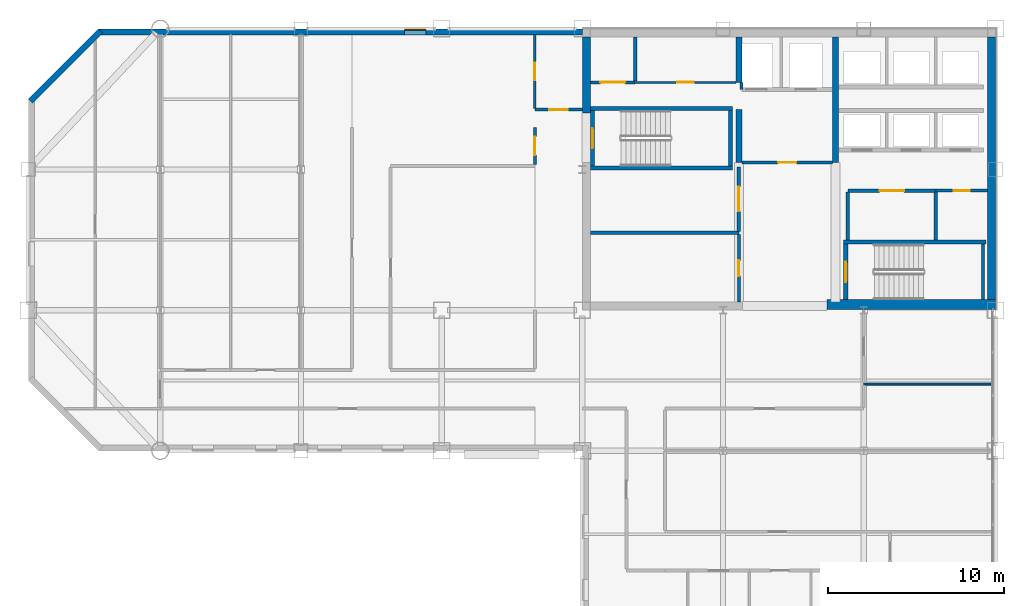
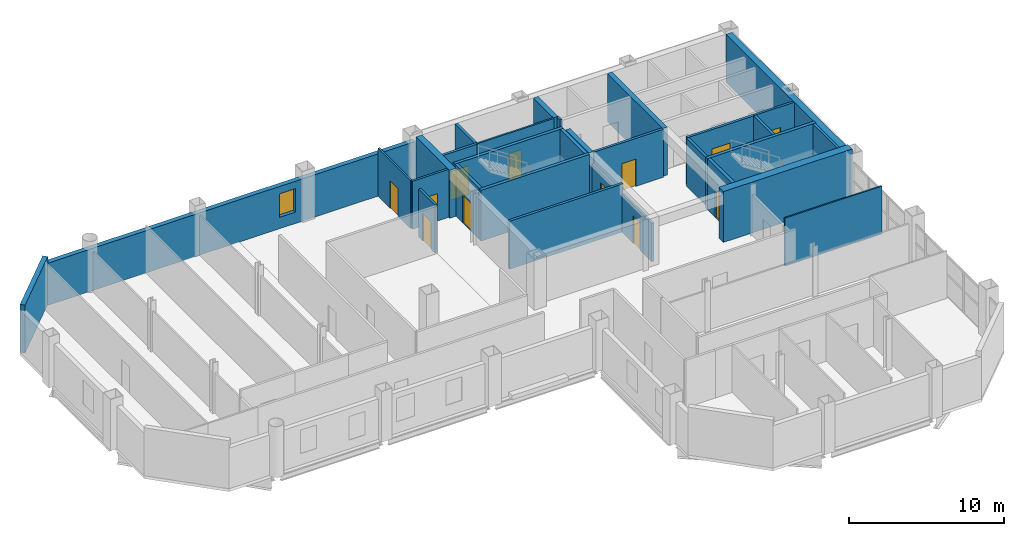
# One storey, part 9 of 12: 31 walls, 12 doors, 1 window, 13 openings.
"""IFC4 building model written with IfcOpenShell, lengths in metres."""

from ifc_helpers import new_model, si_unit, direction, frame, frame_2d, origin, place, context, subcontext, project, spatial, rectangle, extrude, material, layer, layer_set, type_object, element, fill, save


model = new_model("IFC4")

# Units and contexts
model_context = context("Model", 3, precision=1e-05, world=origin(), true_north=direction((0.0, 1.0)))
body_context = subcontext(model_context, "Body", "Model", "MODEL_VIEW")
ifc_project = project(units=[si_unit("LENGTHUNIT", "METRE"), si_unit("AREAUNIT", "SQUARE_METRE"), si_unit("VOLUMEUNIT", "CUBIC_METRE"), si_unit("PLANEANGLEUNIT", "RADIAN"), si_unit("MASSUNIT", "GRAM", prefix="KILO")], contexts=[model_context])

# Site, building, storey
site_placement = place(None, origin())
site = spatial("IfcSite", under=ifc_project, at=site_placement, CompositionType="ELEMENT")
building_placement = place(site_placement, origin())
building = spatial("IfcBuilding", under=site, at=building_placement, Name="Qianrong Seaharbour Tower", CompositionType="ELEMENT")
storey_placement = place(building_placement, frame((0.0, 0.0, 213.800048828125)))
storey = spatial("IfcBuildingStorey", under=building, at=storey_placement, Name="L51", CompositionType="ELEMENT", Elevation=213.800048828125)

# Walls
ifc_material_1 = material(Name="Concrete C60/75", Category="concrete")
ifc_layer_1 = layer(ifc_material_1, 0.4599609375)
ifc_layer_set_1 = layer_set([ifc_layer_1], Name="Concrete C60/75")
wall_type_1 = type_object("IfcWallType", Name="WALL-CORE-460", PredefinedType="SHEAR", material=ifc_layer_set_1)
wall_1_placement = place(storey_placement, frame((63.77001953125, 36.320068359375, 0.0), z_axis=(0.0, 0.0, 1.0), x_axis=(0.0, 1.0, 0.0)))
element("IfcWall", 1, at=wall_1_placement, inside=storey, type_object=wall_type_1, Name="L51 East Core Shear Wall", PredefinedType="SHEAR", context=body_context, shape_type="SweptSolid", body=[
    extrude(rectangle(XDim=15.219970703125, YDim=0.4599609375, at=frame_2d((7.60986328125, 0.0))), origin(), (0.0, 0.0, 1.0), 3.77490234375),
])
wall_2_placement = place(storey_placement, frame((40.72998046875, 47.199951171875, 0.0), z_axis=(0.0, 0.0, 1.0), x_axis=(0.0, 1.0, 0.0)))
element("IfcWall", 2, at=wall_2_placement, inside=storey, type_object=wall_type_1, Name="L51 West Core Shear Wall North", PredefinedType="SHEAR", context=body_context, shape_type="SweptSolid", body=[
    extrude(rectangle(XDim=4.340087890625, YDim=0.4599609375, at=frame_2d((2.169921875, 0.0))), origin(), (0.0, 0.0, 1.0), 3.77490234375),
])
ifc_material_2 = material(Name="Concrete C70/85", Category="concrete")
ifc_layer_2 = layer(ifc_material_2, 0.580078125)
ifc_layer_set_2 = layer_set([ifc_layer_2], Name="Concrete C70/85")
wall_type_2 = type_object("IfcWallType", Name="WALL-CORE-580", PredefinedType="SHEAR", material=ifc_layer_set_2)
wall_3_placement = place(storey_placement, frame((54.39990234375, 36.320068359375, 0.0), z_axis=(0.0, 0.0, 1.0), x_axis=(1.0, 0.0, 0.0)))
element("IfcWall", 3, at=wall_3_placement, inside=storey, type_object=wall_type_2, Name="L51 South Core Shear Wall S3", PredefinedType="SHEAR", context=body_context, shape_type="SweptSolid", body=[
    extrude(rectangle(XDim=9.60009765625, YDim=0.580078125, at=frame_2d((4.800048828125, 0.0))), origin(), (0.0, 0.0, 1.0), 4.0),
])
ifc_material_3 = material(Name="Concrete C50/60", Category="concrete")
ifc_layer_3 = layer(ifc_material_3, 0.35009765625)
ifc_layer_set_3 = layer_set([ifc_layer_3], Name="Concrete C50/60")
wall_type_3 = type_object("IfcWallType", Name="WALL-CORE-INT-350", PredefinedType="SHEAR", material=ifc_layer_set_3)
wall_4_placement = place(storey_placement, frame((49.39990234375, 44.39990234375, 0.0), z_axis=(0.0, 0.0, 1.0), x_axis=(0.0, 1.0, 0.0)))
element("IfcWall", 4, at=wall_4_placement, inside=storey, type_object=wall_type_3, Name="L51 Internal Core Shear Wall IW1N1", PredefinedType="SHEAR", context=body_context, shape_type="SweptSolid", body=[
    extrude(rectangle(XDim=3.0, YDim=0.35009765625, at=frame_2d((1.5, 0.0))), origin(), (0.0, 0.0, 1.0), 3.77490234375),
])
wall_5_placement = place(storey_placement, frame((49.39990234375, 48.949951171875, 0.0), z_axis=(0.0, 0.0, 1.0), x_axis=(0.0, 1.0, 0.0)))
element("IfcWall", 5, at=wall_5_placement, inside=storey, type_object=wall_type_3, Name="L51 Internal Core Shear Wall IW1N2", PredefinedType="SHEAR", context=body_context, shape_type="SweptSolid", body=[
    extrude(rectangle(XDim=2.590087890625, YDim=0.35009765625, at=frame_2d((1.294921875, 0.0))), origin(), (0.0, 0.0, 1.0), 3.77490234375),
])
wall_6_placement = place(storey_placement, frame((54.89990234375, 44.39990234375, 0.0), z_axis=(0.0, 0.0, 1.0), x_axis=(0.0, 1.0, 0.0)))
element("IfcWall", 6, at=wall_6_placement, inside=storey, type_object=wall_type_3, Name="L51 Internal Core Shear Wall IW2N", PredefinedType="SHEAR", context=body_context, shape_type="SweptSolid", body=[
    extrude(rectangle(XDim=7.14013671875, YDim=0.35009765625, at=frame_2d((3.570068359375, 0.0))), origin(), (0.0, 0.0, 1.0), 3.77490234375),
])

# Wall, opening, door
ifc_material_4 = material(Name="Fire-rated acoustic gypsum board partition")
ifc_layer_4 = layer(ifc_material_4, 0.1650390625)
ifc_layer_set_4 = layer_set([ifc_layer_4], Name="Fire-rated acoustic gypsum board partition")
wall_type_4 = type_object("IfcWallType", Name="WALL-CORR-PART-165", PredefinedType="PARTITIONING", material=ifc_layer_set_4)
wall_7_placement = place(storey_placement, frame((37.800048828125, 47.39990234375, 0.0), z_axis=(0.0, 0.0, 1.0), x_axis=(1.0, 0.0, 0.0)))
wall_7 = element("IfcWall", 7, at=wall_7_placement, inside=storey, type_object=wall_type_4, Name="L51 Interior Partition Wall 001", PredefinedType="PARTITIONING", context=body_context, shape_type="SweptSolid", body=[
    extrude(rectangle(XDim=2.699951171875, YDim=0.1650390625, at=frame_2d((1.35009765625, 0.0))), origin(), (0.0, 0.0, 1.0), 3.77490234375),
])
opening_1_placement = place(wall_7_placement, frame((0.824951171875, 0.0, 0.0)))
opening_1 = element("IfcOpeningElement", 8, at=opening_1_placement, cuts=wall_7, Name="Opening DC-01", PredefinedType="OPENING", context=body_context, shape_type="SweptSolid", body=[
    extrude(rectangle(XDim=1.050048828125, YDim=2.14990234375, at=frame_2d((0.52490234375, 1.074951171875))), frame((0.0, 0.092529296875, 0.0), z_axis=(0.0, -1.0, 0.0), x_axis=(1.0, 0.0, 0.0)), (0.0, 0.0, 1.0), 0.18505859375),
])
ifc_material_5 = material(Name="Acoustic timber and galvanized steel fire door assembly", Category="steel")
door_type_1 = type_object("IfcDoorType", Name="DOOR-CORR-FD60-1050x2150", OperationType="NOTDEFINED", PredefinedType="DOOR", material=ifc_material_5)
door_1_placement = place(opening_1_placement, origin())
door_1 = element("IfcDoor", 9, at=door_1_placement, inside=storey, type_object=door_type_1, Name="L51 Smokeproof Stair Vestibule ST-1 Door", OperationType="SINGLE_SWING_RIGHT", OverallHeight=2.14990234375, OverallWidth=1.050048828125, PredefinedType="DOOR", context=body_context, shape_type="SweptSolid", body=[
    extrude(rectangle(XDim=1.050048828125, YDim=2.14990234375, at=frame_2d((0.52490234375, 1.074951171875))), frame((0.0, 0.02490234375, 0.0), z_axis=(0.0, -1.0, 0.0), x_axis=(1.0, 0.0, 0.0)), (0.0, 0.0, 1.0), 0.050048828125),
])
fill(opening_1, door_1)

wall_8_placement = place(storey_placement, frame((37.800048828125, 44.2744140625, 0.0), z_axis=(0.0, 0.0, 1.0), x_axis=(0.0, 1.0, 0.0)))
wall_8 = element("IfcWall", 10, at=wall_8_placement, inside=storey, type_object=wall_type_4, Name="L51 Interior Partition Wall 002", PredefinedType="PARTITIONING", context=body_context, shape_type="SweptSolid", body=[
    extrude(rectangle(XDim=2.12548828125, YDim=0.1650390625, at=frame_2d((1.062744140625, 0.0))), origin(), (0.0, 0.0, 1.0), 3.77490234375),
])
opening_2_placement = place(wall_8_placement, frame((0.537841796875, 0.0, 0.0)))
opening_2 = element("IfcOpeningElement", 11, at=opening_2_placement, cuts=wall_8, Name="Opening DC-01", PredefinedType="OPENING", context=body_context, shape_type="SweptSolid", body=[
    extrude(rectangle(XDim=1.050048828125, YDim=2.14990234375, at=frame_2d((0.52490234375, 1.074951171875))), frame((0.0, 0.092529296875, 0.0), z_axis=(0.0, -1.0, 0.0), x_axis=(1.0, 0.0, 0.0)), (0.0, 0.0, 1.0), 0.18505859375),
])
door_2_placement = place(opening_2_placement, origin())
door_2 = element("IfcDoor", 12, at=door_2_placement, inside=storey, type_object=door_type_1, Name="L51 Smokeproof Stair Vestibule ST-1 Door", OperationType="SINGLE_SWING_LEFT", OverallHeight=2.14990234375, OverallWidth=1.050048828125, PredefinedType="DOOR", context=body_context, shape_type="SweptSolid", body=[
    extrude(rectangle(XDim=1.050048828125, YDim=2.14990234375, at=frame_2d((0.52490234375, 1.074951171875))), frame((0.0, 0.02490234375, 0.0), z_axis=(0.0, -1.0, 0.0), x_axis=(1.0, 0.0, 0.0)), (0.0, 0.0, 1.0), 0.050048828125),
])
fill(opening_2, door_2)

wall_9_placement = place(storey_placement, frame((49.39990234375, 36.4599609375, 0.0), z_axis=(0.0, 0.0, 1.0), x_axis=(0.0, 1.0, 0.0)))
wall_9 = element("IfcWall", 13, at=wall_9_placement, inside=storey, type_object=wall_type_4, Name="L51 Interior Partition Wall 007", PredefinedType="PARTITIONING", context=body_context, shape_type="SweptSolid", body=[
    extrude(rectangle(XDim=3.85302734375, YDim=0.1650390625, at=frame_2d((1.926513671875, 0.0))), origin(), (0.0, 0.0, 1.0), 3.016845703125),
])
opening_3_placement = place(wall_9_placement, frame((1.4765625, 0.0, 0.0)))
opening_3 = element("IfcOpeningElement", 14, at=opening_3_placement, cuts=wall_9, Name="Opening DS-01", PredefinedType="OPENING", context=body_context, shape_type="SweptSolid", body=[
    extrude(rectangle(XDim=0.89990234375, YDim=2.14990234375, at=frame_2d((0.449951171875, 1.074951171875))), frame((0.0, 0.092529296875, 0.0), z_axis=(0.0, -1.0, 0.0), x_axis=(1.0, 0.0, 0.0)), (0.0, 0.0, 1.0), 0.18505859375),
])
door_type_2 = type_object("IfcDoorType", Name="DOOR-STORE-900x2150", OperationType="NOTDEFINED", PredefinedType="DOOR", material=ifc_material_5)
door_3_placement = place(opening_3_placement, origin())
door_3 = element("IfcDoor", 15, at=door_3_placement, inside=storey, type_object=door_type_2, Name="L51 Corporate Archive Room Door", OperationType="SINGLE_SWING_RIGHT", OverallHeight=2.14990234375, OverallWidth=0.89990234375, PredefinedType="DOOR", context=body_context, shape_type="SweptSolid", body=[
    extrude(rectangle(XDim=0.89990234375, YDim=2.14990234375, at=frame_2d((0.449951171875, 1.074951171875))), frame((0.0, 0.02490234375, 0.0), z_axis=(0.0, -1.0, 0.0), x_axis=(1.0, 0.0, 0.0)), (0.0, 0.0, 1.0), 0.050048828125),
])
fill(opening_3, door_3)

wall_10_placement = place(storey_placement, frame((63.5400390625, 42.800048828125, 0.0), z_axis=(0.0, 0.0, 1.0), x_axis=(-1.0, 0.0, 0.0)))
wall_10 = element("IfcWall", 16, at=wall_10_placement, inside=storey, type_object=wall_type_4, Name="L51 Interior Partition Wall 012", PredefinedType="PARTITIONING", context=body_context, shape_type="SweptSolid", body=[
    extrude(rectangle(XDim=2.93994140625, YDim=0.1650390625, at=frame_2d((1.469970703125, 0.0))), origin(), (0.0, 0.0, 1.0), 3.77490234375),
])
opening_4_placement = place(wall_10_placement, frame((1.02001953125, 0.0, 0.0)))
opening_4 = element("IfcOpeningElement", 17, at=opening_4_placement, cuts=wall_10, Name="Opening DS-01", PredefinedType="OPENING", context=body_context, shape_type="SweptSolid", body=[
    extrude(rectangle(XDim=0.89990234375, YDim=2.14990234375, at=frame_2d((0.449951171875, 1.074951171875))), frame((0.0, 0.092529296875, 0.0), z_axis=(0.0, -1.0, 0.0), x_axis=(1.0, 0.0, 0.0)), (0.0, 0.0, 1.0), 0.18505859375),
])
door_4_placement = place(opening_4_placement, origin())
door_4 = element("IfcDoor", 18, at=door_4_placement, inside=storey, type_object=door_type_2, Name="L51 Housekeeping Linen Store Door", OperationType="SINGLE_SWING_RIGHT", OverallHeight=2.14990234375, OverallWidth=0.89990234375, PredefinedType="DOOR", context=body_context, shape_type="SweptSolid", body=[
    extrude(rectangle(XDim=0.89990234375, YDim=2.14990234375, at=frame_2d((0.449951171875, 1.074951171875))), frame((0.0, 0.02490234375, 0.0), z_axis=(0.0, -1.0, 0.0), x_axis=(1.0, 0.0, 0.0)), (0.0, 0.0, 1.0), 0.050048828125),
])
fill(opening_4, door_4)

# Walls
ifc_material_6 = material(Name="Demountable aluminium-framed acoustic office partition", Category="aluminium")
ifc_layer_5 = layer(ifc_material_6, 0.110107421875)
ifc_layer_set_5 = layer_set([ifc_layer_5], Name="Demountable aluminium-framed acoustic office partition")
wall_type_5 = type_object("IfcWallType", Name="WALL-DEMOUNT-110", PredefinedType="MOVABLE", material=ifc_layer_set_5)
wall_11_placement = place(storey_placement, frame((56.5, 31.800048828125, 0.0), z_axis=(0.0, 0.0, 1.0), x_axis=(1.0, 0.0, 0.0)))
element("IfcWall", 19, at=wall_11_placement, inside=storey, type_object=wall_type_5, Name="L51 Interior Partition Wall 048", PredefinedType="MOVABLE", context=body_context, shape_type="SweptSolid", body=[
    extrude(rectangle(XDim=7.22802734375, YDim=0.110107421875, at=frame_2d((3.614013671875, 0.0))), origin(), (0.0, 0.0, 1.0), 3.77490234375),
])
ifc_material_7 = material(Name="Unitised buff brick on Precast concrete C45/55", Category="masonry")
ifc_layer_6 = layer(ifc_material_7, 0.340087890625)
ifc_layer_set_6 = layer_set([ifc_layer_6], Name="Unitised buff brick on Precast concrete C45/55")
wall_type_6 = type_object("IfcWallType", Name="WALL-EXT-BRICK-BUFF-340", PredefinedType="SOLIDWALL", material=ifc_layer_set_6)
wall_12_placement = place(storey_placement, frame((9.1201171875, 47.8798828125, 0.0), z_axis=(0.0, 0.0, 1.0), x_axis=(0.707106781187, 0.707106781187, 0.0)))
element("IfcWall", 20, at=wall_12_placement, inside=storey, type_object=wall_type_6, Name="L51 Exterior Masonry Facade Wall E04", PredefinedType="SOLIDWALL", context=body_context, shape_type="SweptSolid", body=[
    extrude(rectangle(XDim=5.65673828125, YDim=0.340087890625, at=frame_2d((2.828369140625, 0.0))), origin(), (0.0, 0.0, 1.0), 3.77490234375),
])

# Wall, opening, window
wall_13_placement = place(storey_placement, frame((13.0, 51.830078125, 0.0), z_axis=(0.0, 0.0, 1.0), x_axis=(1.0, 0.0, 0.0)))
wall_13 = element("IfcWall", 21, at=wall_13_placement, inside=storey, type_object=wall_type_6, Name="L51 Exterior Masonry Facade Wall NORTH_WING", PredefinedType="SOLIDWALL", context=body_context, shape_type="SweptSolid", body=[
    extrude(rectangle(XDim=27.52001953125, YDim=0.340087890625, at=frame_2d((13.760009765625, 0.0))), origin(), (0.0, 0.0, 1.0), 3.324951171875),
])
opening_5_placement = place(wall_13_placement, frame((17.39990234375, 0.0, 0.89990234375)))
opening_5 = element("IfcOpeningElement", 22, at=opening_5_placement, cuts=wall_13, Name="Opening WN-01", PredefinedType="OPENING", context=body_context, shape_type="SweptSolid", body=[
    extrude(rectangle(XDim=1.199951171875, YDim=1.85009765625, at=frame_2d((0.60009765625, 0.925048828125))), frame((0.0, 0.18017578125, 0.0), z_axis=(0.0, -1.0, 0.0), x_axis=(1.0, 0.0, 0.0)), (0.0, 0.0, 1.0), 0.360107421875),
])
ifc_material_8 = material(Name="Insulated low-e double glazing in thermally broken aluminium 6063-T6 frame", Category="aluminium")
window_type = type_object("IfcWindowType", Name="WIN-PUNCH-1200x1850", PartitioningType="DOUBLE_PANEL_VERTICAL", PredefinedType="WINDOW", material=ifc_material_8)
window_placement = place(opening_5_placement, origin())
window = element("IfcWindow", 23, at=window_placement, inside=storey, type_object=window_type, Name="L51 Deep-Set Punched Window 05.05", OverallHeight=1.85009765625, OverallWidth=1.199951171875, PartitioningType="DOUBLE_PANEL_VERTICAL", PredefinedType="WINDOW", context=body_context, shape_type="SweptSolid", body=[
    extrude(rectangle(XDim=1.199951171875, YDim=1.85009765625, at=frame_2d((0.60009765625, 0.925048828125))), frame((0.0, 0.150146484375, 0.0), z_axis=(0.0, -1.0, 0.0), x_axis=(1.0, 0.0, 0.0)), (0.0, 0.0, 1.0), 0.06005859375),
])
fill(opening_5, window)

# Wall, opening, door
ifc_material_9 = material(Name="Double fire-rated gypsum board acoustic partition")
ifc_layer_7 = layer(ifc_material_9, 0.18994140625)
ifc_layer_set_7 = layer_set([ifc_layer_7], Name="Double fire-rated gypsum board acoustic partition")
wall_type_7 = type_object("IfcWallType", Name="WALL-FIRE-PART-190", PredefinedType="PARTITIONING", material=ifc_layer_set_7)
wall_14_placement = place(storey_placement, frame((40.9599609375, 48.949951171875, 0.0), z_axis=(0.0, 0.0, 1.0), x_axis=(1.0, 0.0, 0.0)))
wall_14 = element("IfcWall", 24, at=wall_14_placement, inside=storey, type_object=wall_type_7, Name="L51 Interior Partition Wall 004", PredefinedType="PARTITIONING", context=body_context, shape_type="SweptSolid", body=[
    extrude(rectangle(XDim=2.5400390625, YDim=0.18994140625, at=frame_2d((1.27001953125, 0.0))), origin(), (0.0, 0.0, 1.0), 3.77490234375),
])
opening_6_placement = place(wall_14_placement, frame((0.570068359375, 0.0, 0.0)))
opening_6 = element("IfcOpeningElement", 25, at=opening_6_placement, cuts=wall_14, Name="Opening DP-01", PredefinedType="OPENING", context=body_context, shape_type="SweptSolid", body=[
    extrude(rectangle(XDim=1.39990234375, YDim=2.25, at=frame_2d((0.699951171875, 1.125))), frame((0.0, 0.10498046875, 0.0), z_axis=(0.0, -1.0, 0.0), x_axis=(1.0, 0.0, 0.0)), (0.0, 0.0, 1.0), 0.2099609375),
])
door_type_3 = type_object("IfcDoorType", Name="DOOR-PLANT-PAIR-1400x2250", OperationType="DOUBLE_DOOR_SINGLE_SWING", PredefinedType="DOOR", material=ifc_material_5)
door_5_placement = place(opening_6_placement, origin())
door_5 = element("IfcDoor", 26, at=door_5_placement, inside=storey, type_object=door_type_3, Name="L51 Core Electrical Closet Door", OperationType="DOUBLE_DOOR_SINGLE_SWING", OverallHeight=2.25, OverallWidth=1.39990234375, PredefinedType="DOOR", context=body_context, shape_type="SweptSolid", body=[
    extrude(rectangle(XDim=1.39990234375, YDim=2.25, at=frame_2d((0.699951171875, 1.125))), frame((0.0, 0.02490234375, 0.0), z_axis=(0.0, -1.0, 0.0), x_axis=(1.0, 0.0, 0.0)), (0.0, 0.0, 1.0), 0.050048828125),
])
fill(opening_6, door_5)

wall_15_placement = place(storey_placement, frame((54.73291015625, 44.39990234375, 0.0), z_axis=(0.0, 0.0, 1.0), x_axis=(-1.0, 0.0, 0.0)))
wall_15 = element("IfcWall", 27, at=wall_15_placement, inside=storey, type_object=wall_type_7, Name="L51 Interior Partition Wall 006", PredefinedType="PARTITIONING", context=body_context, shape_type="SweptSolid", body=[
    extrude(rectangle(XDim=5.166015625, YDim=0.18994140625, at=frame_2d((2.5830078125, 0.0))), origin(), (0.0, 0.0, 1.0), 3.77490234375),
])
opening_7_placement = place(wall_15_placement, frame((2.05810546875, 0.0, 0.0)))
opening_7 = element("IfcOpeningElement", 28, at=opening_7_placement, cuts=wall_15, Name="Opening DC-01", PredefinedType="OPENING", context=body_context, shape_type="SweptSolid", body=[
    extrude(rectangle(XDim=1.050048828125, YDim=2.14990234375, at=frame_2d((0.52490234375, 1.074951171875))), frame((0.0, 0.10498046875, 0.0), z_axis=(0.0, -1.0, 0.0), x_axis=(1.0, 0.0, 0.0)), (0.0, 0.0, 1.0), 0.2099609375),
])
door_6_placement = place(opening_7_placement, origin())
door_6 = element("IfcDoor", 29, at=door_6_placement, inside=storey, type_object=door_type_1, Name="L51 Firefighting Lift Lobby Door", OperationType="SINGLE_SWING_LEFT", OverallHeight=2.14990234375, OverallWidth=1.050048828125, PredefinedType="DOOR", context=body_context, shape_type="SweptSolid", body=[
    extrude(rectangle(XDim=1.050048828125, YDim=2.14990234375, at=frame_2d((0.52490234375, 1.074951171875))), frame((0.0, 0.02490234375, 0.0), z_axis=(0.0, -1.0, 0.0), x_axis=(1.0, 0.0, 0.0)), (0.0, 0.0, 1.0), 0.050048828125),
])
fill(opening_7, door_6)

wall_16_placement = place(storey_placement, frame((49.39990234375, 40.487060546875, 0.0), z_axis=(0.0, 0.0, 1.0), x_axis=(0.0, 1.0, 0.0)))
wall_16 = element("IfcWall", 30, at=wall_16_placement, inside=storey, type_object=wall_type_7, Name="L51 Interior Partition Wall 008", PredefinedType="PARTITIONING", context=body_context, shape_type="SweptSolid", body=[
    extrude(rectangle(XDim=3.662841796875, YDim=0.18994140625, at=frame_2d((1.83154296875, 0.0))), origin(), (0.0, 0.0, 1.0), 3.016845703125),
])
opening_8_placement = place(wall_16_placement, frame((1.131591796875, 0.0, 0.0)))
opening_8 = element("IfcOpeningElement", 31, at=opening_8_placement, cuts=wall_16, Name="Opening DP-01", PredefinedType="OPENING", context=body_context, shape_type="SweptSolid", body=[
    extrude(rectangle(XDim=1.39990234375, YDim=2.25, at=frame_2d((0.699951171875, 1.125))), frame((0.0, 0.10498046875, 0.0), z_axis=(0.0, -1.0, 0.0), x_axis=(1.0, 0.0, 0.0)), (0.0, 0.0, 1.0), 0.2099609375),
])
door_7_placement = place(opening_8_placement, origin())
door_7 = element("IfcDoor", 32, at=door_7_placement, inside=storey, type_object=door_type_3, Name="L51 Telecom Server Room Door", OperationType="DOUBLE_DOOR_SINGLE_SWING", OverallHeight=2.25, OverallWidth=1.39990234375, PredefinedType="DOOR", context=body_context, shape_type="SweptSolid", body=[
    extrude(rectangle(XDim=1.39990234375, YDim=2.25, at=frame_2d((0.699951171875, 1.125))), frame((0.0, 0.02490234375, 0.0), z_axis=(0.0, -1.0, 0.0), x_axis=(1.0, 0.0, 0.0)), (0.0, 0.0, 1.0), 0.050048828125),
])
fill(opening_8, door_7)

# Walls
wall_17_placement = place(storey_placement, frame((55.60009765625, 42.712890625, 0.0), z_axis=(0.0, 0.0, 1.0), x_axis=(0.0, -1.0, 0.0)))
element("IfcWall", 33, at=wall_17_placement, inside=storey, type_object=wall_type_7, Name="L51 Interior Partition Wall 009", PredefinedType="PARTITIONING", context=body_context, shape_type="SweptSolid", body=[
    extrude(rectangle(XDim=2.73095703125, YDim=0.18994140625, at=frame_2d((1.365478515625, 0.0))), origin(), (0.0, 0.0, 1.0), 3.77490234375),
])
wall_18_placement = place(storey_placement, frame((40.9599609375, 40.39990234375, 0.0), z_axis=(0.0, 0.0, 1.0), x_axis=(1.0, 0.0, 0.0)))
element("IfcWall", 34, at=wall_18_placement, inside=storey, type_object=wall_type_7, Name="L51 Interior Partition Wall 010", PredefinedType="PARTITIONING", context=body_context, shape_type="SweptSolid", body=[
    extrude(rectangle(XDim=8.43994140625, YDim=0.18994140625, at=frame_2d((4.219970703125, 0.0))), origin(), (0.0, 0.0, 1.0), 3.77490234375),
])

# Wall, opening, door
wall_19_placement = place(storey_placement, frame((60.60009765625, 42.800048828125, 0.0), z_axis=(0.0, 0.0, 1.0), x_axis=(-1.0, 0.0, 0.0)))
wall_19 = element("IfcWall", 35, at=wall_19_placement, inside=storey, type_object=wall_type_7, Name="L51 Interior Partition Wall 011", PredefinedType="PARTITIONING", context=body_context, shape_type="SweptSolid", body=[
    extrude(rectangle(XDim=5.0, YDim=0.18994140625, at=frame_2d((2.5, 0.0))), origin(), (0.0, 0.0, 1.0), 3.77490234375),
])
opening_9_placement = place(wall_19_placement, frame((1.800048828125, 0.0, 0.0)))
opening_9 = element("IfcOpeningElement", 36, at=opening_9_placement, cuts=wall_19, Name="Opening DP-01", PredefinedType="OPENING", context=body_context, shape_type="SweptSolid", body=[
    extrude(rectangle(XDim=1.39990234375, YDim=2.25, at=frame_2d((0.699951171875, 1.125))), frame((0.0, 0.10498046875, 0.0), z_axis=(0.0, -1.0, 0.0), x_axis=(1.0, 0.0, 0.0)), (0.0, 0.0, 1.0), 0.2099609375),
])
door_8_placement = place(opening_9_placement, origin())
door_8 = element("IfcDoor", 37, at=door_8_placement, inside=storey, type_object=door_type_3, Name="L51 Submetering Switch Room Door", OperationType="DOUBLE_DOOR_SINGLE_SWING", OverallHeight=2.25, OverallWidth=1.39990234375, PredefinedType="DOOR", context=body_context, shape_type="SweptSolid", body=[
    extrude(rectangle(XDim=1.39990234375, YDim=2.25, at=frame_2d((0.699951171875, 1.125))), frame((0.0, 0.02490234375, 0.0), z_axis=(0.0, -1.0, 0.0), x_axis=(1.0, 0.0, 0.0)), (0.0, 0.0, 1.0), 0.050048828125),
])
fill(opening_9, door_8)

# Walls
wall_20_placement = place(storey_placement, frame((43.5, 51.5400390625, 0.0), z_axis=(0.0, 0.0, 1.0), x_axis=(0.0, -1.0, 0.0)))
element("IfcWall", 38, at=wall_20_placement, inside=storey, type_object=wall_type_7, Name="L51 Interior Partition Wall 013", PredefinedType="PARTITIONING", context=body_context, shape_type="SweptSolid", body=[
    extrude(rectangle(XDim=2.5029296875, YDim=0.18994140625, at=frame_2d((1.25146484375, 0.0))), origin(), (0.0, 0.0, 1.0), 3.77490234375),
])
wall_21_placement = place(storey_placement, frame((60.60009765625, 42.712890625, 0.0), z_axis=(0.0, 0.0, 1.0), x_axis=(0.0, -1.0, 0.0)))
element("IfcWall", 39, at=wall_21_placement, inside=storey, type_object=wall_type_7, Name="L51 Interior Partition Wall 014", PredefinedType="PARTITIONING", context=body_context, shape_type="SweptSolid", body=[
    extrude(rectangle(XDim=2.73095703125, YDim=0.18994140625, at=frame_2d((1.365478515625, 0.0))), origin(), (0.0, 0.0, 1.0), 3.77490234375),
])
ifc_material_10 = material(Name="Fire-rated gypsum board on steel studs", Category="steel")
ifc_layer_8 = layer(ifc_material_10, 0.14990234375)
ifc_layer_set_8 = layer_set([ifc_layer_8], Name="Fire-rated gypsum board on steel studs")
wall_type_8 = type_object("IfcWallType", Name="WALL-SHAFT-DIV-150", PredefinedType="PARTITIONING", material=ifc_layer_set_8)
wall_22_placement = place(storey_placement, frame((49.550048828125, 48.550048828125, 0.0), z_axis=(0.0, 0.0, 1.0), x_axis=(0.0, 1.0, 0.0)))
element("IfcWall", 40, at=wall_22_placement, inside=storey, type_object=wall_type_8, Name="L51 Firefighting Lift Shaft West Return Wall", PredefinedType="PARTITIONING", context=body_context, shape_type="SweptSolid", body=[
    extrude(rectangle(XDim=0.39990234375, YDim=0.14990234375, at=frame_2d((0.199951171875, 0.0))), origin(), (0.0, 0.0, 1.0), 3.77490234375),
])
ifc_layer_9 = layer(ifc_material_3, 0.239990234375)
ifc_layer_set_9 = layer_set([ifc_layer_9], Name="Concrete C50/60")
wall_type_9 = type_object("IfcWallType", Name="WALL-SHAFT-RC240", PredefinedType="SOLIDWALL", material=ifc_layer_set_9)
for number, where, z_axis, x_axis, name in (
    (41, (40.9599609375, 47.469970703125, 0.0), (0.0, 0.0, 1.0), (1.0, 0.0, 0.0), "L51 ST-1 Structural Stair Core Wall N"),
    (42, (49.0400390625, 44.080078125, 0.0), (0.0, 0.0, 1.0), (-1.0, 0.0, 0.0), "L51 ST-1 Structural Stair Core Wall S"),
):
    element("IfcWall", number, at=place(storey_placement, frame(where, z_axis=z_axis, x_axis=x_axis)), inside=storey, type_object=wall_type_9, Name=name, PredefinedType="SOLIDWALL", context=body_context, shape_type="SweptSolid", body=[
        extrude(rectangle(XDim=8.080078125, YDim=0.239990234375, at=frame_2d((4.0400390625, 0.0))), origin(), (0.0, 0.0, 1.0), 4.0),
    ])

# Wall, opening, door
wall_23_placement = place(storey_placement, frame((41.080078125, 47.35009765625, 0.0), z_axis=(0.0, 0.0, 1.0), x_axis=(0.0, -1.0, 0.0)))
wall_23 = element("IfcWall", 43, at=wall_23_placement, inside=storey, type_object=wall_type_9, Name="L51 ST-1 Structural Stair Core Wall W", PredefinedType="SOLIDWALL", context=body_context, shape_type="SweptSolid", body=[
    extrude(rectangle(XDim=3.150146484375, YDim=0.239990234375, at=frame_2d((1.5751953125, 0.0))), origin(), (0.0, 0.0, 1.0), 4.0),
])
opening_10_placement = place(wall_23_placement, frame((1.0, 0.0, 0.0)))
opening_10 = element("IfcOpeningElement", 44, at=opening_10_placement, cuts=wall_23, Name="Opening SD-01", PredefinedType="OPENING", context=body_context, shape_type="SweptSolid", body=[
    extrude(rectangle(XDim=1.14990234375, YDim=2.199951171875, at=frame_2d((0.574951171875, 1.10009765625))), frame((0.0, 0.1298828125, 0.0), z_axis=(0.0, -1.0, 0.0), x_axis=(1.0, 0.0, 0.0)), (0.0, 0.0, 1.0), 0.260009765625),
])
door_type_4 = type_object("IfcDoorType", Name="DOOR-STAIR-FD60-1150x2200", OperationType="NOTDEFINED", PredefinedType="DOOR", material=ifc_material_5)
door_9_placement = place(opening_10_placement, origin())
door_9 = element("IfcDoor", 45, at=door_9_placement, inside=storey, type_object=door_type_4, Name="L51 ST-1 Protected Stair Door", OperationType="SINGLE_SWING_RIGHT", OverallHeight=2.199951171875, OverallWidth=1.14990234375, PredefinedType="DOOR", context=body_context, shape_type="SweptSolid", body=[
    extrude(rectangle(XDim=1.14990234375, YDim=2.199951171875, at=frame_2d((0.574951171875, 1.10009765625))), frame((0.0, 0.02490234375, 0.0), z_axis=(0.0, -1.0, 0.0), x_axis=(1.0, 0.0, 0.0)), (0.0, 0.0, 1.0), 0.050048828125),
])
fill(opening_10, door_9)

# Walls
wall_24_placement = place(storey_placement, frame((48.919921875, 44.199951171875, 0.0), z_axis=(0.0, 0.0, 1.0), x_axis=(0.0, 1.0, 0.0)))
element("IfcWall", 46, at=wall_24_placement, inside=storey, type_object=wall_type_9, Name="L51 ST-1 Structural Stair Core Wall E", PredefinedType="SOLIDWALL", context=body_context, shape_type="SweptSolid", body=[
    extrude(rectangle(XDim=3.150146484375, YDim=0.239990234375, at=frame_2d((1.5751953125, 0.0))), origin(), (0.0, 0.0, 1.0), 4.0),
])
wall_25_placement = place(storey_placement, frame((55.360107421875, 39.8701171875, 0.0), z_axis=(0.0, 0.0, 1.0), x_axis=(1.0, 0.0, 0.0)))
element("IfcWall", 47, at=wall_25_placement, inside=storey, type_object=wall_type_9, Name="L51 ST-2 Structural Stair Core Wall N", PredefinedType="SOLIDWALL", context=body_context, shape_type="SweptSolid", body=[
    extrude(rectangle(XDim=8.079833984375, YDim=0.239990234375, at=frame_2d((4.0400390625, 0.0))), origin(), (0.0, 0.0, 1.0), 4.0),
])

# Wall, opening, door
wall_26_placement = place(storey_placement, frame((55.47998046875, 39.75, 0.0), z_axis=(0.0, 0.0, 1.0), x_axis=(0.0, -1.0, 0.0)))
wall_26 = element("IfcWall", 48, at=wall_26_placement, inside=storey, type_object=wall_type_9, Name="L51 ST-2 Structural Stair Core Wall W", PredefinedType="SOLIDWALL", context=body_context, shape_type="SweptSolid", body=[
    extrude(rectangle(XDim=3.14990234375, YDim=0.239990234375, at=frame_2d((1.574951171875, 0.0))), origin(), (0.0, 0.0, 1.0), 4.0),
])
opening_11_placement = place(wall_26_placement, frame((1.0, 0.0, 0.0)))
opening_11 = element("IfcOpeningElement", 49, at=opening_11_placement, cuts=wall_26, Name="Opening SD-01", PredefinedType="OPENING", context=body_context, shape_type="SweptSolid", body=[
    extrude(rectangle(XDim=1.14990234375, YDim=2.199951171875, at=frame_2d((0.574951171875, 1.10009765625))), frame((0.0, 0.1298828125, 0.0), z_axis=(0.0, -1.0, 0.0), x_axis=(1.0, 0.0, 0.0)), (0.0, 0.0, 1.0), 0.260009765625),
])
door_10_placement = place(opening_11_placement, origin())
door_10 = element("IfcDoor", 50, at=door_10_placement, inside=storey, type_object=door_type_4, Name="L51 ST-2 Protected Stair Door", OperationType="SINGLE_SWING_RIGHT", OverallHeight=2.199951171875, OverallWidth=1.14990234375, PredefinedType="DOOR", context=body_context, shape_type="SweptSolid", body=[
    extrude(rectangle(XDim=1.14990234375, YDim=2.199951171875, at=frame_2d((0.574951171875, 1.10009765625))), frame((0.0, 0.02490234375, 0.0), z_axis=(0.0, -1.0, 0.0), x_axis=(1.0, 0.0, 0.0)), (0.0, 0.0, 1.0), 0.050048828125),
])
fill(opening_11, door_10)

# Wall
wall_27_placement = place(storey_placement, frame((63.2900390625, 36.60009765625, 0.0), z_axis=(0.0, 0.0, 1.0), x_axis=(0.0, 1.0, 0.0)))
element("IfcWall", 51, at=wall_27_placement, inside=storey, type_object=wall_type_9, Name="L51 ST-2 Structural Stair Core Wall E", PredefinedType="SOLIDWALL", context=body_context, shape_type="SweptSolid", body=[
    extrude(rectangle(XDim=3.14990234375, YDim=0.179931640625, at=frame_2d((1.574951171875, 0.0))), origin(), (0.0, 0.0, 1.0), 4.0),
])

# Wall, opening, door
ifc_material_11 = material(Name="Water-resistant cement board sanitary partition")
ifc_layer_10 = layer(ifc_material_11, 0.1298828125)
ifc_layer_set_10 = layer_set([ifc_layer_10], Name="Water-resistant cement board sanitary partition")
wall_type_10 = type_object("IfcWallType", Name="WALL-WET-PART-130", PredefinedType="PARTITIONING", material=ifc_layer_set_10)
wall_28_placement = place(storey_placement, frame((37.800048828125, 47.474609375, 0.0), z_axis=(0.0, 0.0, 1.0), x_axis=(0.0, 1.0, 0.0)))
wall_28 = element("IfcWall", 52, at=wall_28_placement, inside=storey, type_object=wall_type_10, Name="L51 Interior Partition Wall 003", PredefinedType="PARTITIONING", context=body_context, shape_type="SweptSolid", body=[
    extrude(rectangle(XDim=4.193359375, YDim=0.1298828125, at=frame_2d((2.0966796875, 0.0))), origin(), (0.0, 0.0, 1.0), 3.77490234375),
])
opening_12_placement = place(wall_28_placement, frame((1.5869140625, 0.0, 0.0)))
opening_12 = element("IfcOpeningElement", 53, at=opening_12_placement, cuts=wall_28, Name="Opening DAW-01", PredefinedType="OPENING", context=body_context, shape_type="SweptSolid", body=[
    extrude(rectangle(XDim=1.02001953125, YDim=2.14990234375, at=frame_2d((0.510009765625, 1.074951171875))), frame((0.0, 0.074951171875, 0.0), z_axis=(0.0, -1.0, 0.0), x_axis=(1.0, 0.0, 0.0)), (0.0, 0.0, 1.0), 0.14990234375),
])
door_type_5 = type_object("IfcDoorType", Name="DOOR-AWC-SLIDE-1020x2150", OperationType="SLIDING_TO_LEFT", PredefinedType="DOOR", material=ifc_material_5)
door_11_placement = place(opening_12_placement, origin())
door_11 = element("IfcDoor", 54, at=door_11_placement, inside=storey, type_object=door_type_5, Name="L51 Accessible Restroom WC Door", OperationType="SLIDING_TO_LEFT", OverallHeight=2.14990234375, OverallWidth=1.02001953125, PredefinedType="DOOR", context=body_context, shape_type="SweptSolid", body=[
    extrude(rectangle(XDim=1.02001953125, YDim=2.14990234375, at=frame_2d((0.510009765625, 1.074951171875))), frame((0.0, 0.02490234375, 0.0), z_axis=(0.0, -1.0, 0.0), x_axis=(1.0, 0.0, 0.0)), (0.0, 0.0, 1.0), 0.050048828125),
])
fill(opening_12, door_11)

wall_29_placement = place(storey_placement, frame((43.5, 48.949951171875, 0.0), z_axis=(0.0, 0.0, 1.0), x_axis=(1.0, 0.0, 0.0)))
wall_29 = element("IfcWall", 55, at=wall_29_placement, inside=storey, type_object=wall_type_10, Name="L51 Interior Partition Wall 005", PredefinedType="PARTITIONING", context=body_context, shape_type="SweptSolid", body=[
    extrude(rectangle(XDim=5.73291015625, YDim=0.1298828125, at=frame_2d((2.866455078125, 0.0))), origin(), (0.0, 0.0, 1.0), 3.77490234375),
])
opening_13_placement = place(wall_29_placement, frame((2.406494140625, 0.0, 0.0)))
opening_13 = element("IfcOpeningElement", 56, at=opening_13_placement, cuts=wall_29, Name="Opening DW-01", PredefinedType="OPENING", context=body_context, shape_type="SweptSolid", body=[
    extrude(rectangle(XDim=0.919921875, YDim=2.14990234375, at=frame_2d((0.4599609375, 1.074951171875))), frame((0.0, 0.074951171875, 0.0), z_axis=(0.0, -1.0, 0.0), x_axis=(1.0, 0.0, 0.0)), (0.0, 0.0, 1.0), 0.14990234375),
])
door_type_6 = type_object("IfcDoorType", Name="DOOR-WC-920x2150", OperationType="NOTDEFINED", PredefinedType="DOOR", material=ifc_material_5)
door_12_placement = place(opening_13_placement, origin())
door_12 = element("IfcDoor", 57, at=door_12_placement, inside=storey, type_object=door_type_6, Name="L51 Staff Restroom WC Door", OperationType="SINGLE_SWING_LEFT", OverallHeight=2.14990234375, OverallWidth=0.919921875, PredefinedType="DOOR", context=body_context, shape_type="SweptSolid", body=[
    extrude(rectangle(XDim=0.919921875, YDim=2.14990234375, at=frame_2d((0.4599609375, 1.074951171875))), frame((0.0, 0.02490234375, 0.0), z_axis=(0.0, -1.0, 0.0), x_axis=(1.0, 0.0, 0.0)), (0.0, 0.0, 1.0), 0.050048828125),
])
fill(opening_13, door_12)

save(model, "model.ifc")
